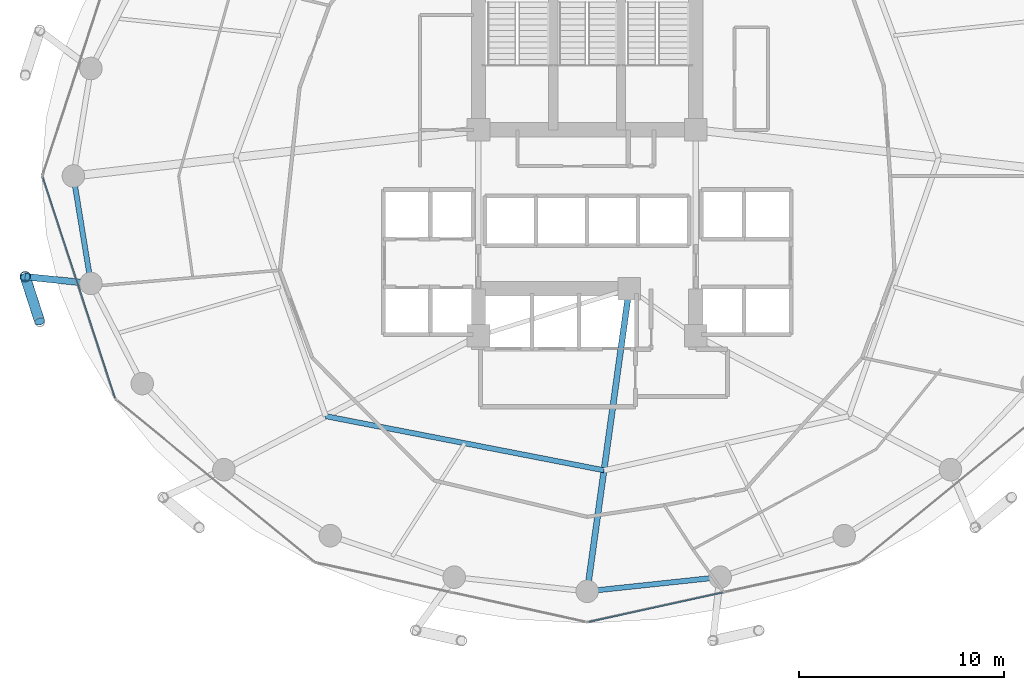
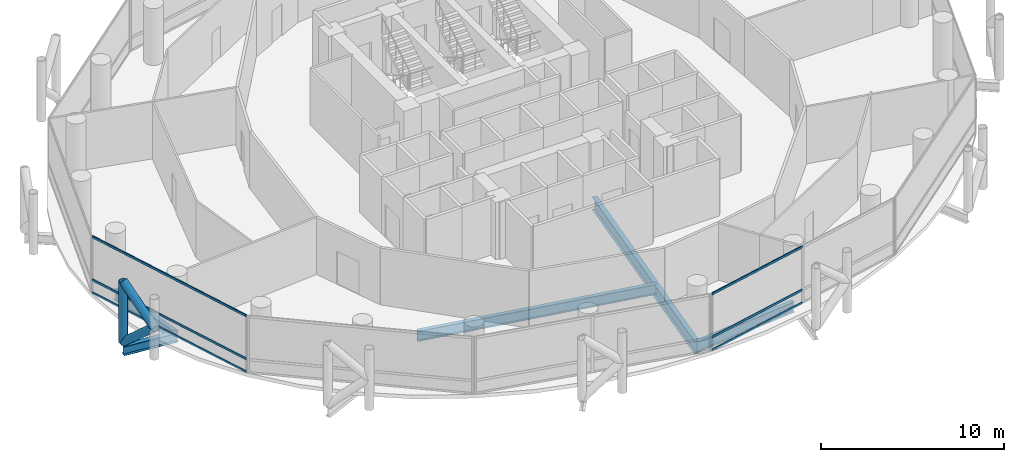
# One storey, part 5 of 24: 9 members, 5 beams, 2 elements without a shape of their own.
"""IFC4 building model written with IfcOpenShell, lengths in metres."""

from ifc_helpers import new_model, si_unit, direction, frame, origin, origin_2d, place, context, subcontext, project, spatial, hollow_rectangle, hollow_circle, i_section, extrude, material, layer, layer_set, material_profile, profile_set, type_object, element, aggregate, save


model = new_model("IFC4")

# Units and contexts
model_context = context("Model", 3, precision=1e-05, world=origin(), true_north=direction((0.0, 1.0)))
body_context = subcontext(model_context, "Body", "Model", "MODEL_VIEW")
ifc_project = project(units=[si_unit("LENGTHUNIT", "METRE"), si_unit("AREAUNIT", "SQUARE_METRE"), si_unit("VOLUMEUNIT", "CUBIC_METRE"), si_unit("PLANEANGLEUNIT", "RADIAN"), si_unit("MASSUNIT", "GRAM", prefix="KILO")], contexts=[model_context])

# Site, building, storey
site_placement = place(None, origin())
site = spatial("IfcSite", under=ifc_project, at=site_placement, CompositionType="ELEMENT")
building_placement = place(site_placement, origin())
building = spatial("IfcBuilding", under=site, at=building_placement, Name="Nuhasar Tower", CompositionType="ELEMENT")
storey_placement = place(building_placement, frame((0.0, 0.0, 81.75)))
storey = spatial("IfcBuildingStorey", under=building, at=storey_placement, Name="L19", CompositionType="ELEMENT", Elevation=81.75)

# Beams
ifc_material_1 = material(Name="Steel S355", Category="steel")
ifc_material_profile_1 = material_profile(ifc_material_1, i_section(OverallWidth=0.25390625, OverallDepth=0.68408203125, WebThickness=0.012451171875, FlangeThickness=0.018798828125, at=origin_2d()), Name="W27X94")
ifc_profile_set_1 = profile_set([ifc_material_profile_1], Name="Steel S355")
beam_type_1 = type_object("IfcBeamType", Name="BM-INRING-W27X94", PredefinedType="BEAM", material=ifc_profile_set_1)
beam_1_placement = place(storey_placement, frame((26.251953125, 15.089111328125, -0.592041015625), z_axis=(0.981602977761, -0.190933480695, 0.0), x_axis=(0.190933480695, 0.981602977761, 0.0)))
element("IfcBeam", 1, at=beam_1_placement, inside=storey, type_object=beam_type_1, Name="L19 Inner Header Beam 01", PredefinedType="BEAM", context=body_context, shape_type="SweptSolid", body=[
    extrude(i_section(OverallWidth=0.25390625, OverallDepth=0.68408203125, WebThickness=0.012451171875, FlangeThickness=0.018798828125, at=origin_2d()), origin(), (0.0, 0.0, 1.0), 13.822509765625),
])
ifc_material_profile_2 = material_profile(ifc_material_1, i_section(OverallWidth=0.2919921875, OverallDepth=0.85888671875, WebThickness=0.01708984375, FlangeThickness=0.031005859375, at=origin_2d()), Name="W33X169")
ifc_profile_set_2 = profile_set([ifc_material_profile_2], Name="Steel S355")
beam_type_2 = type_object("IfcBeamType", Name="BM-POD-W33X169", PredefinedType="BEAM", material=ifc_profile_set_2)
beam_2_placement = place(storey_placement, frame((41.050048828125, 21.300048828125, -0.679931640625), z_axis=(-0.137663087856, -0.990479113481, 0.0), x_axis=(0.990479113481, -0.137663087856, 0.0)))
element("IfcBeam", 2, at=beam_2_placement, inside=storey, type_object=beam_type_2, Name="L19 Radial Floor Girder 02", PredefinedType="BEAM", context=body_context, shape_type="SweptSolid", body=[
    extrude(i_section(OverallWidth=0.2919921875, OverallDepth=0.85888671875, WebThickness=0.01708984375, FlangeThickness=0.031005859375, at=origin_2d()), origin(), (0.0, 0.0, 1.0), 14.891845703125),
])
ifc_material_profile_3 = material_profile(ifc_material_1, i_section(OverallWidth=0.256103515625, OverallDepth=0.693115234375, WebThickness=0.014404296875, FlangeThickness=0.023681640625, at=origin_2d()), Name="W27X114")
ifc_profile_set_3 = profile_set([ifc_material_profile_3], Name="Steel S355")
beam_type_3 = type_object("IfcBeamType", Name="BM-RING-W27X114", PredefinedType="SPANDREL", material=ifc_profile_set_3)
beam_3_placement = place(storey_placement, frame((13.949951171875, 26.800048828125, -0.596923828125), z_axis=(0.160826635486, -0.986982671235, 0.0), x_axis=(0.986982671235, 0.160826635486, 0.0)))
element("IfcBeam", 3, at=beam_3_placement, inside=storey, type_object=beam_type_3, Name="L19 Perimeter Ring Spandrel 13", PredefinedType="SPANDREL", context=body_context, shape_type="SweptSolid", body=[
    extrude(i_section(OverallWidth=0.256103515625, OverallDepth=0.693115234375, WebThickness=0.014404296875, FlangeThickness=0.023681640625, at=origin_2d()), origin(), (0.0, 0.0, 1.0), 5.31005859375),
])
beam_4_placement = place(storey_placement, frame((39.0, 6.550048828125, -0.596923828125), z_axis=(0.994384554061, 0.105827022286, 0.0), x_axis=(-0.105827022286, 0.994384554061, 0.0)))
element("IfcBeam", 4, at=beam_4_placement, inside=storey, type_object=beam_type_3, Name="L19 Perimeter Ring Spandrel 19", PredefinedType="SPANDREL", context=body_context, shape_type="SweptSolid", body=[
    extrude(i_section(OverallWidth=0.256103515625, OverallDepth=0.693115234375, WebThickness=0.014404296875, FlangeThickness=0.023681640625, at=origin_2d()), origin(), (0.0, 0.0, 1.0), 6.51953125),
])
ifc_material_profile_4 = material_profile(ifc_material_1, i_section(OverallWidth=0.323974609375, OverallDepth=0.611083984375, WebThickness=0.0126953125, FlangeThickness=0.01904296875, at=origin_2d()), Name="W24X104")
ifc_profile_set_4 = profile_set([ifc_material_profile_4], Name="Steel S355")
beam_type_4 = type_object("IfcBeamType", Name="BM-TIE-W24X104", PredefinedType="BEAM", material=ifc_profile_set_4)
beam_5_placement = place(storey_placement, frame((14.803955078125, 21.55908203125, -0.554931640625), z_axis=(-0.994711572359, 0.102707778751, 0.0), x_axis=(-0.102707778751, -0.994711572359, 0.0)))
element("IfcBeam", 5, at=beam_5_placement, inside=storey, type_object=beam_type_4, Name="L19 Exoskeleton Node Tie Beam 07", PredefinedType="BEAM", context=body_context, shape_type="SweptSolid", body=[
    extrude(i_section(OverallWidth=0.323974609375, OverallDepth=0.611083984375, WebThickness=0.0126953125, FlangeThickness=0.01904296875, at=origin_2d()), origin(), (0.0, 0.0, 1.0), 3.220947265625),
])

# Curtain wall, members
ifc_material_2 = material(Name="Aluminium 6063-T6", Category="aluminium")
ifc_layer = layer(ifc_material_2, 0.199951171875)
ifc_layer_set = layer_set([ifc_layer], Name="Aluminium 6063-T6")
curtain_wall_type = type_object("IfcCurtainWallType", Name="CW-Z1-OFF", PredefinedType="NOTDEFINED", material=ifc_layer_set)
curtain_wall_1_placement = place(storey_placement, origin())
curtain_wall_1 = element("IfcCurtainWall", 6, at=curtain_wall_1_placement, inside=storey, type_object=curtain_wall_type, Name="L19 Unitised Curtain Wall 07", PredefinedType="NOTDEFINED")
ifc_material_profile_5 = material_profile(ifc_material_2, hollow_rectangle(XDim=0.06494140625, YDim=0.14990234375, WallThickness=0.00439453125, at=origin_2d()), Name="CWT-2")
ifc_profile_set_5 = profile_set([ifc_material_profile_5], Name="Aluminium 6063-T6")
member_type_1 = type_object("IfcMemberType", Name="CW-TRN-S2", PredefinedType="USERDEFINED", material=ifc_profile_set_5)
member_1_placement = place(storey_placement, frame((12.460205078125, 26.73828125, 0.032470703125), z_axis=(0.310818687697, -0.950469222741, 0.0), x_axis=(0.950469222741, 0.310818687697, 0.0)))
member_1 = element("IfcMember", 7, at=member_1_placement, type_object=member_type_1, Name="CW-Z1 transom 1.1", ObjectType="TRANSOM", PredefinedType="USERDEFINED", context=body_context, shape_type="SweptSolid", body=[
    extrude(hollow_rectangle(XDim=0.06494140625, YDim=0.14990234375, WallThickness=0.00439453125, at=origin_2d()), origin(), (0.0, 0.0, 1.0), 11.317138671875),
])
member_2_placement = place(storey_placement, frame((12.460205078125, 26.73828125, 0.89990234375), z_axis=(0.310818687697, -0.950469222741, 0.0), x_axis=(0.950469222741, 0.310818687697, 0.0)))
member_2 = element("IfcMember", 8, at=member_2_placement, type_object=member_type_1, Name="CW-Z1 transom 1.2", ObjectType="TRANSOM", PredefinedType="USERDEFINED", context=body_context, shape_type="SweptSolid", body=[
    extrude(hollow_rectangle(XDim=0.06494140625, YDim=0.14990234375, WallThickness=0.00439453125, at=origin_2d()), origin(), (0.0, 0.0, 1.0), 11.317138671875),
])
member_3_placement = place(storey_placement, frame((12.460205078125, 26.73828125, 3.767578125), z_axis=(0.310818687697, -0.950469222741, 0.0), x_axis=(0.950469222741, 0.310818687697, 0.0)))
member_3 = element("IfcMember", 9, at=member_3_placement, type_object=member_type_1, Name="CW-Z1 transom 1.3", ObjectType="TRANSOM", PredefinedType="USERDEFINED", context=body_context, shape_type="SweptSolid", body=[
    extrude(hollow_rectangle(XDim=0.06494140625, YDim=0.14990234375, WallThickness=0.00439453125, at=origin_2d()), origin(), (0.0, 0.0, 1.0), 11.317138671875),
])
aggregate(curtain_wall_1, [member_1, member_2, member_3])

curtain_wall_2_placement = place(storey_placement, origin())
curtain_wall_2 = element("IfcCurtainWall", 10, at=curtain_wall_2_placement, inside=storey, type_object=curtain_wall_type, Name="L19 Unitised Curtain Wall 10", PredefinedType="NOTDEFINED")
member_4_placement = place(storey_placement, frame((39.0634765625, 5.053955078125, 0.032470703125), z_axis=(0.976747879138, 0.214391185916, 0.0), x_axis=(-0.214391185916, 0.976747879138, 0.0)))
member_4 = element("IfcMember", 11, at=member_4_placement, type_object=member_type_1, Name="CW-Z1 transom 1.1", ObjectType="TRANSOM", PredefinedType="USERDEFINED", context=body_context, shape_type="SweptSolid", body=[
    extrude(hollow_rectangle(XDim=0.06494140625, YDim=0.14990234375, WallThickness=0.00439453125, at=origin_2d()), origin(), (0.0, 0.0, 1.0), 6.700439453125),
])
member_5_placement = place(storey_placement, frame((39.0634765625, 5.053955078125, 0.89990234375), z_axis=(0.976747879138, 0.214391185916, 0.0), x_axis=(-0.214391185916, 0.976747879138, 0.0)))
member_5 = element("IfcMember", 12, at=member_5_placement, type_object=member_type_1, Name="CW-Z1 transom 1.2", ObjectType="TRANSOM", PredefinedType="USERDEFINED", context=body_context, shape_type="SweptSolid", body=[
    extrude(hollow_rectangle(XDim=0.06494140625, YDim=0.14990234375, WallThickness=0.00439453125, at=origin_2d()), origin(), (0.0, 0.0, 1.0), 6.700439453125),
])
member_6_placement = place(storey_placement, frame((39.0634765625, 5.053955078125, 3.767578125), z_axis=(0.976747879138, 0.214391185916, 0.0), x_axis=(-0.214391185916, 0.976747879138, 0.0)))
member_6 = element("IfcMember", 13, at=member_6_placement, type_object=member_type_1, Name="CW-Z1 transom 1.3", ObjectType="TRANSOM", PredefinedType="USERDEFINED", context=body_context, shape_type="SweptSolid", body=[
    extrude(hollow_rectangle(XDim=0.06494140625, YDim=0.14990234375, WallThickness=0.00439453125, at=origin_2d()), origin(), (0.0, 0.0, 1.0), 6.700439453125),
])
aggregate(curtain_wall_2, [member_4, member_5, member_6])

# Members
ifc_material_3 = material(Name="Steel S460", Category="steel")
ifc_material_profile_6 = material_profile(ifc_material_3, hollow_circle(Radius=0.25390625, WallThickness=0.025390625, at=origin_2d()), Name="HSS508X25.4")
ifc_profile_set_6 = profile_set([ifc_material_profile_6], Name="Steel S460")
member_type_2 = type_object("IfcMemberType", Name="EXO-BRONZE-508", PredefinedType="BRACE", material=ifc_profile_set_6)
member_7_placement = place(storey_placement, frame((11.60009765625, 21.889892578125, 0.0), z_axis=(0.0, 0.0, 1.0), x_axis=(1.0, 0.0, 0.0)))
element("IfcMember", 14, at=member_7_placement, inside=storey, type_object=member_type_2, Name="L19 Exoskeleton Chord Column EC-07A", PredefinedType="BRACE", context=body_context, shape_type="SweptSolid", body=[
    extrude(hollow_circle(Radius=0.25390625, WallThickness=0.025390625, at=origin_2d()), origin(), (0.0, 0.0, 1.0), 4.050048828125),
])
member_8_placement = place(storey_placement, frame((11.60009765625, 21.889892578125, 0.0), z_axis=(0.231011836313, -0.714224870475, 0.660693851854), x_axis=(0.951468282519, 0.307746823478, 0.0)))
element("IfcMember", 15, at=member_8_placement, inside=storey, type_object=member_type_2, Name="L19 Bronze Diagrid Brace W1-07", PredefinedType="BRACE", context=body_context, shape_type="SweptSolid", body=[
    extrude(hollow_circle(Radius=0.25390625, WallThickness=0.025390625, at=origin_2d()), origin(), (0.0, 0.0, 1.0), 3.064697265625),
])
member_9_placement = place(storey_placement, frame((12.30810546875, 19.700927734375, 2.02490234375), z_axis=(-0.230999678299, 0.714187281251, 0.660738734997), x_axis=(-0.951468282519, -0.307746823478, 0.0)))
element("IfcMember", 16, at=member_9_placement, inside=storey, type_object=member_type_2, Name="L19 Bronze Diagrid Brace W2-07", PredefinedType="BRACE", context=body_context, shape_type="SweptSolid", body=[
    extrude(hollow_circle(Radius=0.25390625, WallThickness=0.025390625, at=origin_2d()), origin(), (0.0, 0.0, 1.0), 3.06494140625),
])

save(model, "model.ifc")
